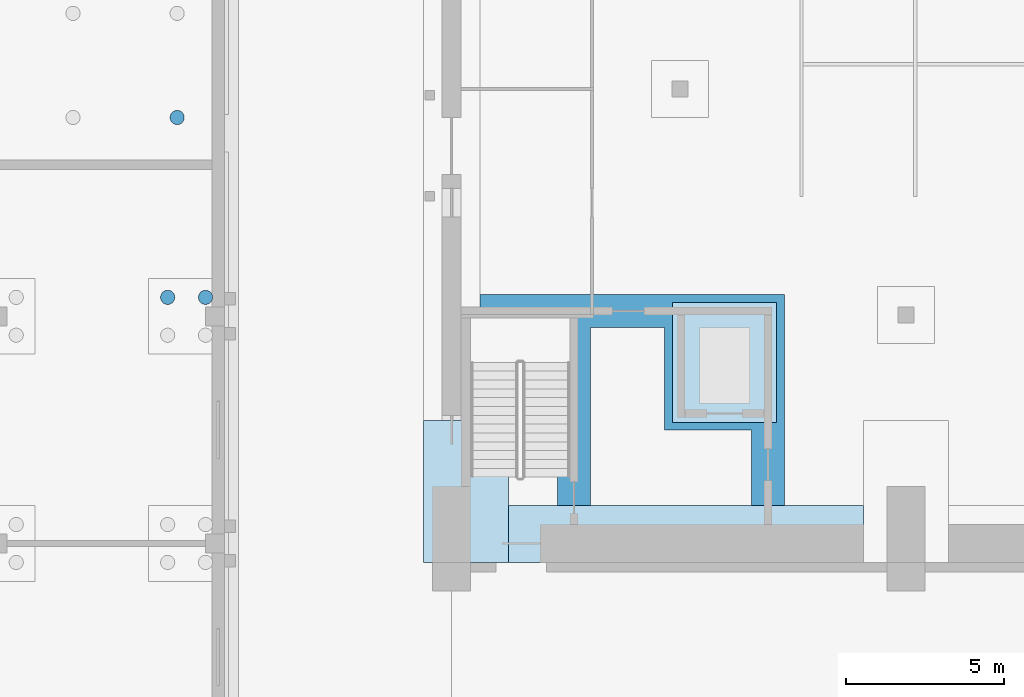
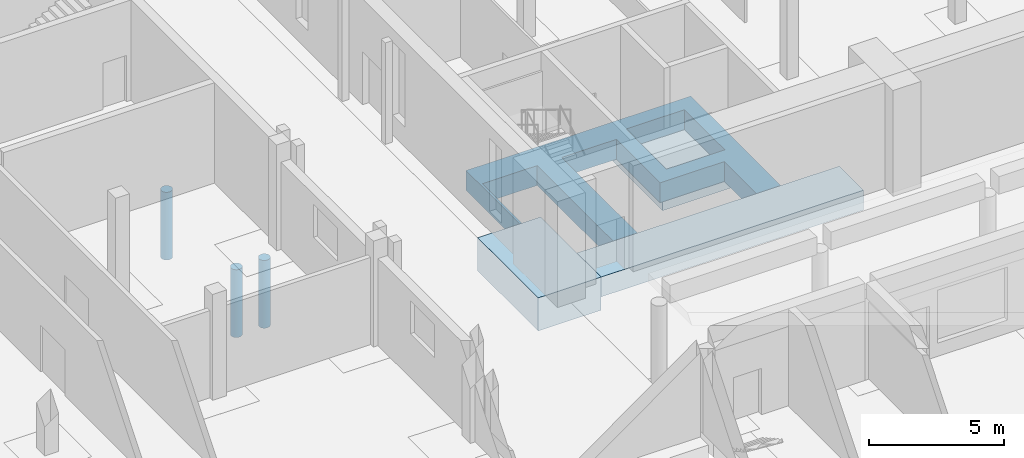
# One storey, part 2 of 73: 4 footings, 3 piles.
"""IFC4 building model written with IfcOpenShell, lengths in metres."""

from ifc_helpers import new_model, si_unit, direction, frame, origin, origin_2d, place, context, subcontext, project, spatial, polyline, rectangle, circle, outline, extrude, material, material_profile, profile_set, type_object, element, save


model = new_model("IFC4")

# Units and contexts
model_context = context("Model", 3, precision=1e-05, world=origin(), true_north=direction((0.0, 1.0)))
body_context = subcontext(model_context, "Body", "Model", "MODEL_VIEW")
ifc_project = project(units=[si_unit("LENGTHUNIT", "METRE"), si_unit("AREAUNIT", "SQUARE_METRE"), si_unit("VOLUMEUNIT", "CUBIC_METRE"), si_unit("PLANEANGLEUNIT", "RADIAN"), si_unit("MASSUNIT", "GRAM", prefix="KILO")], contexts=[model_context])

# Site, building, storey
site_placement = place(None, origin())
site = spatial("IfcSite", under=ifc_project, at=site_placement, CompositionType="ELEMENT")
building_placement = place(site_placement, origin())
building = spatial("IfcBuilding", under=site, at=building_placement, Name="Alderwick Market Hall", CompositionType="ELEMENT")
storey_placement = place(building_placement, origin())
storey = spatial("IfcBuildingStorey", under=building, at=storey_placement, Name="LG", CompositionType="ELEMENT", Elevation=0.0)

# Piles
ifc_material_1 = material(Name="Concrete 5000 psi (f'c 35 MPa)", Category="concrete")
ifc_material_profile = material_profile(ifc_material_1, circle(Radius=0.22509765625, at=origin_2d()), Name="B Bored Pile D450")
ifc_profile_set = profile_set([ifc_material_profile], Name="Concrete 5000 psi (f'c 35 MPa)")
pile_type = type_object("IfcPileType", Name="B Bored Pile D450", PredefinedType="BORED", material=ifc_profile_set)
for number, where, z_axis, x_axis, name in (
    (1, (41.39990234375, 58.199951171875, -0.824951171875), (0.0, 0.0, -1.0), (1.0, 0.0, 0.0), "B.S.cap.213-288.pile3"),
    (2, (42.60009765625, 58.199951171875, -0.824951171875), (0.0, 0.0, -1.0), (1.0, 0.0, 0.0), "B.S.cap.213-288.pile4"),
    (3, (41.699951171875, 63.89990234375, -0.875), (0.0, 0.0, -1.0), (1.0, 0.0, 0.0), "B.S.raft.S-2.pile3"),
):
    element("IfcPile", number, at=place(storey_placement, frame(where, z_axis=z_axis, x_axis=x_axis)), inside=storey, type_object=pile_type, Name=name, PredefinedType="BORED", context=body_context, shape_type="SweptSolid", body=[
        extrude(circle(Radius=0.22509765625, at=origin_2d()), origin(), (0.0, 0.0, 1.0), 3.074951171875),
    ])

# Footings
ifc_material_2 = material(Name="Concrete 4000 psi (f'c 28 MPa)", Category="concrete")
footing_type_1 = type_object("IfcFootingType", Name="H Lift pit footing 600", PredefinedType="PAD_FOOTING", material=ifc_material_2)
footing_1_placement = place(storey_placement, frame((0.0, 0.0, -1.5)))
element("IfcFooting", 4, at=footing_1_placement, inside=storey, type_object=footing_type_1, Name="Lift pit footing", PredefinedType="PAD_FOOTING", context=body_context, shape_type="SweptSolid", body=[
    extrude(outline(polyline([(57.39990234375, 58.0400390625), (60.699951171875, 58.0400390625), (60.699951171875, 54.239990234375), (57.39990234375, 54.239990234375), (57.39990234375, 58.0400390625)])), origin(), (0.0, 0.0, 1.0), 0.60009765625),
])
footing_type_2 = type_object("IfcFootingType", Name="H Pad footing 2700x4500x1500", PredefinedType="PAD_FOOTING", material=ifc_material_2)
footing_2_placement = place(storey_placement, frame((50.85009765625, 52.050048828125, -1.5), z_axis=(0.0, 0.0, 1.0), x_axis=(1.0, 0.0, 0.0)))
element("IfcFooting", 5, at=footing_2_placement, inside=storey, type_object=footing_type_2, Name="Pier footing S1", PredefinedType="PAD_FOOTING", context=body_context, shape_type="SweptSolid", body=[
    extrude(rectangle(XDim=2.699951171875, YDim=4.5, at=origin_2d()), origin(), (0.0, 0.0, 1.0), 1.5),
])
footing_type_3 = type_object("IfcFootingType", Name="H Strip footing 900", PredefinedType="STRIP_FOOTING", material=ifc_material_2)
footing_3_placement = place(storey_placement, frame((0.0, 0.0, -0.89990234375)))
element("IfcFooting", 6, at=footing_3_placement, inside=storey, type_object=footing_type_3, Name="Strip footing", PredefinedType="STRIP_FOOTING", context=body_context, shape_type="SweptSolid", body=[
    extrude(outline(polyline([(63.449951171875, 51.60009765625), (63.449951171875, 49.800048828125), (52.199951171875, 49.800048828125), (52.199951171875, 51.60009765625), (63.449951171875, 51.60009765625)])), origin(), (0.0, 0.0, 1.0), 0.89990234375),
])
footing_4_placement = place(storey_placement, frame((0.0, 0.0, -0.89990234375)))
element("IfcFooting", 7, at=footing_4_placement, inside=storey, type_object=footing_type_3, Name="Core wall footing", PredefinedType="STRIP_FOOTING", context=body_context, shape_type="SweptSolid", body=[
    extrude(outline(polyline([(51.300048828125, 54.300048828125), (51.300048828125, 58.2900390625), (60.949951171875, 58.2900390625), (60.949951171875, 51.60009765625), (59.89990234375, 51.60009765625), (59.89990234375, 53.989990234375), (57.14990234375, 53.989990234375), (57.14990234375, 57.239990234375), (54.800048828125, 57.239990234375), (54.800048828125, 51.60009765625), (53.75, 51.60009765625), (53.75, 57.239990234375), (51.39990234375, 57.239990234375), (51.39990234375, 54.300048828125), (51.300048828125, 54.300048828125)]), holes=[polyline([(60.300048828125, 57.639892578125), (57.800048828125, 57.639892578125), (57.800048828125, 54.639892578125), (60.300048828125, 54.639892578125), (60.300048828125, 57.639892578125)])]), origin(), (0.0, 0.0, 1.0), 0.89990234375),
])

save(model, "model.ifc")
